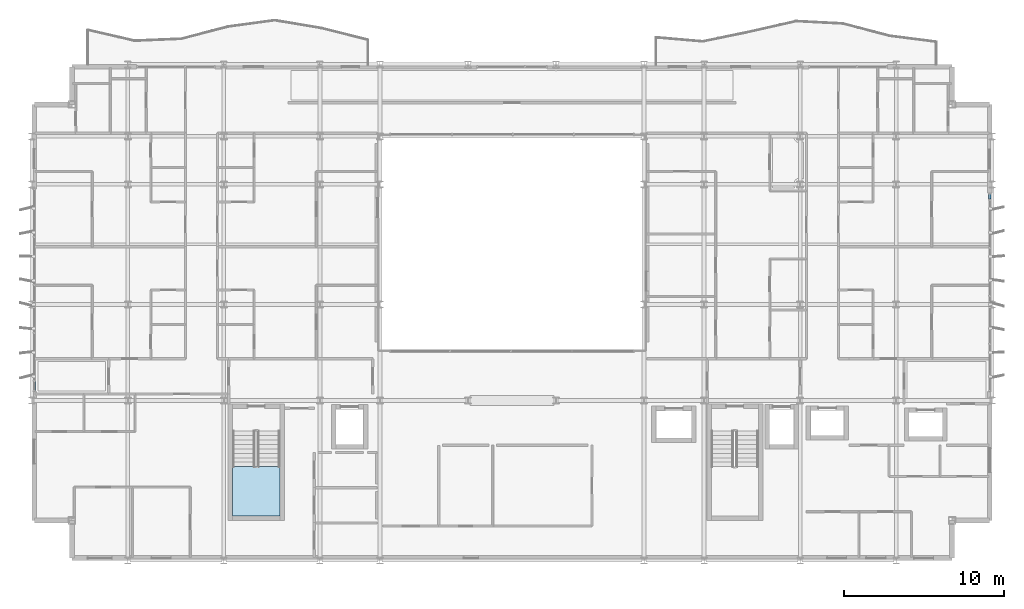
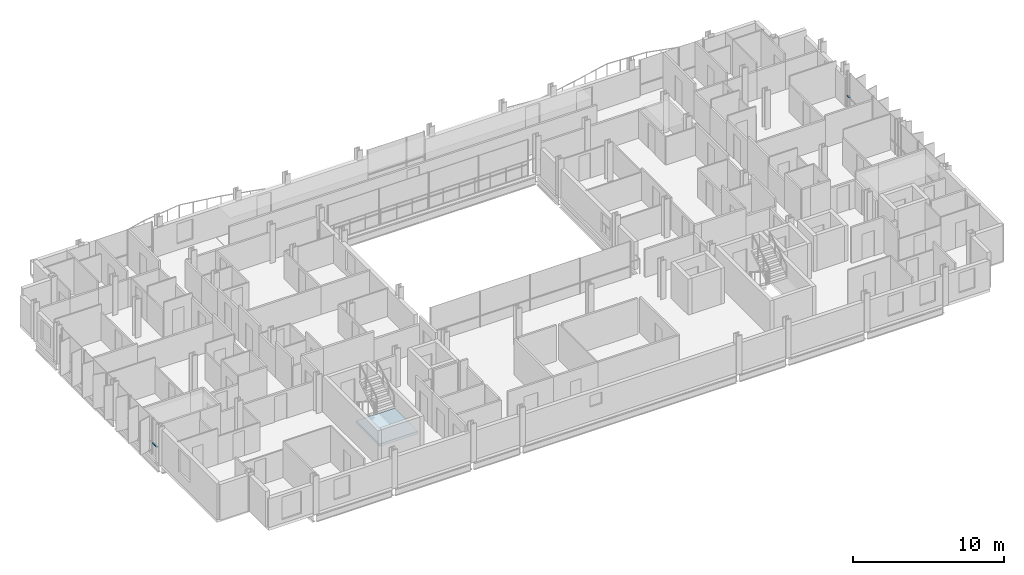
# One storey, part 21 of 39: 2 members, 1 slab, 3 elements without a shape of their own.
"""IFC4 building model written with IfcOpenShell, lengths in metres."""

from ifc_helpers import new_model, si_unit, direction, frame, origin, origin_2d, place, context, subcontext, project, spatial, polyline, hollow_rectangle, outline, extrude, material, layer, layer_set, material_profile, profile_set, type_object, element, aggregate, save


model = new_model("IFC4")

# Units and contexts
model_context = context("Model", 3, precision=1e-05, world=origin(), true_north=direction((0.0, 1.0)))
body_context = subcontext(model_context, "Body", "Model", "MODEL_VIEW")
ifc_project = project(units=[si_unit("LENGTHUNIT", "METRE"), si_unit("AREAUNIT", "SQUARE_METRE"), si_unit("VOLUMEUNIT", "CUBIC_METRE"), si_unit("PLANEANGLEUNIT", "RADIAN"), si_unit("MASSUNIT", "GRAM", prefix="KILO")], contexts=[model_context])

# Site, building, storey
site_placement = place(None, origin())
site = spatial("IfcSite", under=ifc_project, at=site_placement, CompositionType="ELEMENT")
building_placement = place(site_placement, origin())
building = spatial("IfcBuilding", under=site, at=building_placement, Name="Brevholm Reach", CompositionType="ELEMENT")
storey_placement = place(building_placement, frame((0.0, 0.0, 109.699951171875)))
storey = spatial("IfcBuildingStorey", under=building, at=storey_placement, Name="L32", CompositionType="ELEMENT", Elevation=109.699951171875)

# Curtain wall, member
ifc_material_1 = material(Name="Dark Anodised Aluminium 6063-T6 and Solar-Control Glass", Category="aluminium")
ifc_layer_1 = layer(ifc_material_1, 0.14990234375)
ifc_layer_set_1 = layer_set([ifc_layer_1], Name="Dark Anodised Aluminium 6063-T6 and Solar-Control Glass")
curtain_wall_type = type_object("IfcCurtainWallType", Name="CW-01", PredefinedType="NOTDEFINED", material=ifc_layer_set_1)
curtain_wall_1_placement = place(storey_placement, origin())
curtain_wall_1 = element("IfcCurtainWall", 1, at=curtain_wall_1_placement, inside=storey, type_object=curtain_wall_type, Name="L32 Curtain Wall CW-01", PredefinedType="NOTDEFINED")
ifc_material_2 = material(Name="Dark Anodised Aluminium 6063-T6", Category="aluminium")
ifc_material_profile = material_profile(ifc_material_2, hollow_rectangle(XDim=0.06494140625, YDim=0.14990234375, WallThickness=0.0048828125, InnerFilletRadius=0.0048828125, OuterFilletRadius=0.010009765625, at=origin_2d()), Name="RHS 150x65x5")
ifc_profile_set = profile_set([ifc_material_profile], Name="Dark Anodised Aluminium 6063-T6")
member_type = type_object("IfcMemberType", Name="CWT-150", PredefinedType="NOTDEFINED", material=ifc_profile_set)
member_1_placement = place(storey_placement, frame((0.14990234375, 11.1875, 0.900146484375), z_axis=(0.0, -1.0, 0.0), x_axis=(0.0, 0.0, 1.0)))
member_1 = element("IfcMember", 2, at=member_1_placement, type_object=member_type, Name="CT-150 Transom 5.1", ObjectType="TRANSOM", PredefinedType="USERDEFINED", context=body_context, shape_type="SweptSolid", body=[
    extrude(hollow_rectangle(XDim=0.06494140625, YDim=0.14990234375, WallThickness=0.0048828125, InnerFilletRadius=0.0048828125, OuterFilletRadius=0.010009765625, at=origin_2d()), origin(), (0.0, 0.0, 1.0), 0.572509765625),
])
aggregate(curtain_wall_1, [member_1])

curtain_wall_2_placement = place(storey_placement, origin())
curtain_wall_2 = element("IfcCurtainWall", 3, at=curtain_wall_2_placement, inside=storey, type_object=curtain_wall_type, Name="L32 Curtain Wall CW-01", PredefinedType="NOTDEFINED")
member_2_placement = place(storey_placement, frame((59.85009765625, 22.58251953125, 0.900146484375), z_axis=(0.0, 1.0, 0.0), x_axis=(0.0, 0.0, 1.0)))
member_2 = element("IfcMember", 4, at=member_2_placement, type_object=member_type, Name="CT-150 Transom 5.1", ObjectType="TRANSOM", PredefinedType="USERDEFINED", context=body_context, shape_type="SweptSolid", body=[
    extrude(hollow_rectangle(XDim=0.06494140625, YDim=0.14990234375, WallThickness=0.0048828125, InnerFilletRadius=0.0048828125, OuterFilletRadius=0.010009765625, at=origin_2d()), origin(), (0.0, 0.0, 1.0), 0.302490234375),
])
aggregate(curtain_wall_2, [member_2])

# Stair, slab
ifc_material_3 = material(Name="Precast Concrete C40/50", Category="concrete")
stair_type = type_object("IfcStairType", Name="STR-ESC-1400", PredefinedType="DOUBLE_RETURN_STAIR", material=ifc_material_3)
stair_placement = place(storey_placement, origin())
stair = element("IfcStair", 5, at=stair_placement, inside=storey, type_object=stair_type, Name="L32 ST-1", PredefinedType="DOUBLE_RETURN_STAIR")
ifc_material_4 = material(Name="Concrete C40/50", Category="concrete")
ifc_layer_2 = layer(ifc_material_4, 0.199951171875)
ifc_layer_set_2 = layer_set([ifc_layer_2], Name="Concrete C40/50")
slab_type = type_object("IfcSlabType", Name="SLB-LND-200", PredefinedType="LANDING", material=ifc_layer_set_2)
slab_placement = place(storey_placement, frame((0.0, 0.0, 1.35009765625)))
slab = element("IfcSlab", 6, at=slab_placement, type_object=slab_type, Name="ST-1 landing 1", PredefinedType="LANDING", context=body_context, shape_type="SweptSolid", body=[
    extrude(outline(polyline([(12.550048828125, 5.860107421875), (12.550048828125, 2.780029296875), (15.5, 2.780029296875), (15.5, 5.860107421875), (12.550048828125, 5.860107421875)])), origin(), (0.0, 0.0, 1.0), 0.199951171875),
])
aggregate(stair, [slab])

save(model, "model.ifc")
